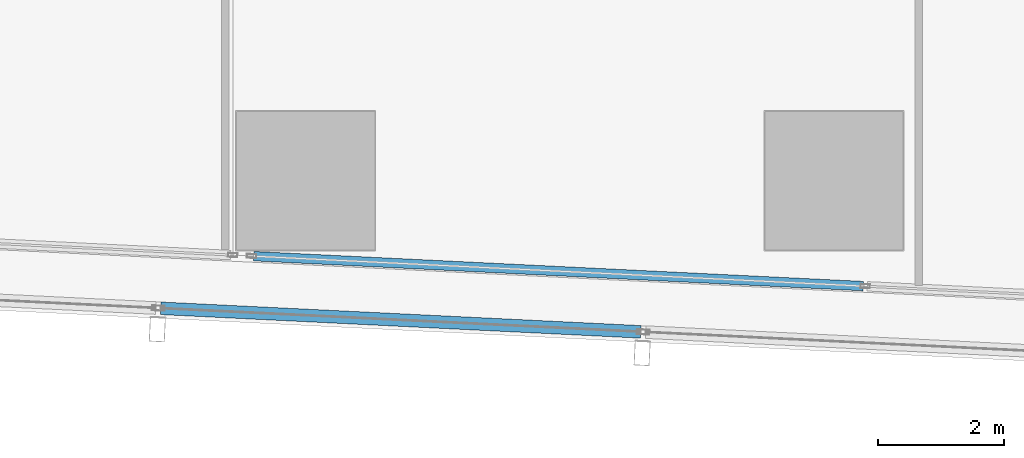
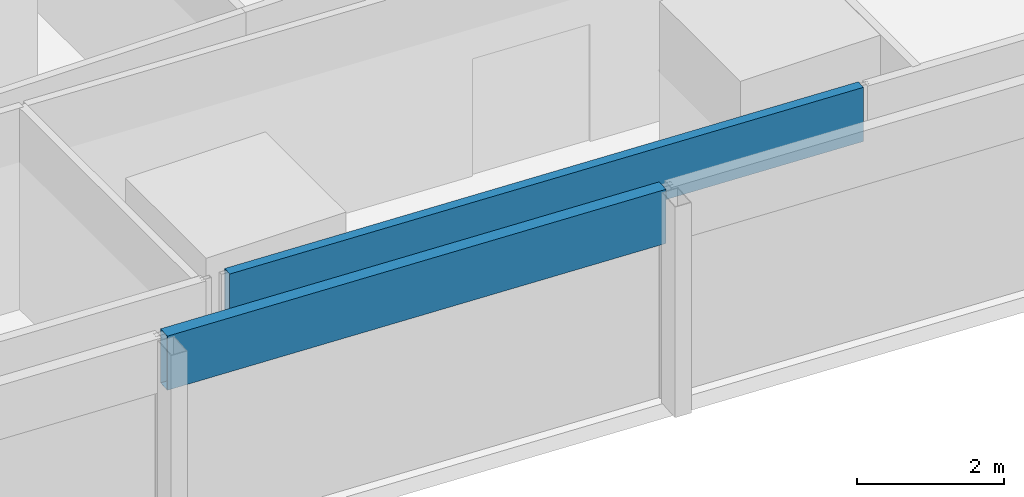
# One storey, part 3 of 44: 2 members, 2 elements without a shape of their own.
"""IFC4 building model written with IfcOpenShell, lengths in metres."""

import ifcopenshell
import ifcopenshell.guid

model = None  # the IFC model being written
_history = None  # IfcOwnerHistory: only IFC2X3 demands one
_inside = {}  # id of a spatial element -> (the spatial element, [elements in it])
_under = {}  # id of a project, library or spatial element -> (it, [spatial elements below it])
_declared = {}  # id of a project -> (the project, [libraries it declares])
_typed = {}  # id of a type object -> (the type object, [elements of that type])
_made_of = {}  # id of a material, layer set ... -> (it, [elements and type objects made of it])


def new_model(schema):
    """Start an empty IFC model of exactly this schema.

    Asked for "IFC4X3", IfcOpenShell would pick the latest addendum, in which some entities
    have other attributes; the version numbers below select the first issue.
    IFC2X3 requires an IfcOwnerHistory on every rooted entity: one is made here for all.
    """
    global model, _history
    if schema == "IFC4X3":
        model = ifcopenshell.file(schema_version=(4, 3, 0, 0))
    else:
        model = ifcopenshell.file(schema=schema)
    _inside.clear()
    _under.clear()
    _declared.clear()
    _typed.clear()
    _made_of.clear()
    _history = None
    if model.schema == "IFC2X3":
        org = make("IfcOrganization", Name="unknown")
        user = make(
            "IfcPersonAndOrganization",
            ThePerson=make("IfcPerson", FamilyName="unknown"),
            TheOrganization=org,
        )
        app = make(
            "IfcApplication",
            ApplicationDeveloper=org,
            Version="unknown",
            ApplicationFullName="unknown",
            ApplicationIdentifier="unknown",
        )
        _history = make(
            "IfcOwnerHistory",
            OwningUser=user,
            OwningApplication=app,
            ChangeAction="ADDED",
            CreationDate=0,
        )
    return model


def make(cls, **values):
    """One entity of the class cls with the attributes given. An attribute that is None is left unset."""
    return model.create_entity(
        cls, **{name: value for name, value in values.items() if value is not None}
    )


def rooted(cls, **values):
    """An entity with a GlobalId (a new one), such as an element, a storey or a relation."""
    return make(cls, GlobalId=ifcopenshell.guid.new(), OwnerHistory=_history, **values)


def si_unit(unit_type, name, prefix=None):
    """IfcSIUnit, for example si_unit("LENGTHUNIT", "METRE", prefix="MILLI")."""
    return make("IfcSIUnit", UnitType=unit_type, Prefix=prefix, Name=name)


def assignment(units):
    """IfcUnitAssignment: the units of a project."""
    return None if units is None else make("IfcUnitAssignment", Units=units)


def point(xyz):
    """IfcCartesianPoint."""
    return None if xyz is None else make("IfcCartesianPoint", Coordinates=xyz)


def direction(xyz):
    """IfcDirection."""
    return None if xyz is None else make("IfcDirection", DirectionRatios=xyz)


def frame(location, z_axis=None, x_axis=None):
    """IfcAxis2Placement3D, a coordinate frame: its origin and axes. An axis left out is left unset."""
    return make(
        "IfcAxis2Placement3D",
        Location=point(location),
        Axis=direction(z_axis),
        RefDirection=direction(x_axis),
    )


def frame_2d(location, x_axis=None):
    """IfcAxis2Placement2D, a coordinate frame in the plane: its origin and x axis."""
    return make(
        "IfcAxis2Placement2D", Location=point(location), RefDirection=direction(x_axis)
    )


def origin():
    """The frame at (0, 0, 0) with its axes left unset."""
    return frame((0.0, 0.0, 0.0))


def origin_2d():
    """The frame at (0, 0) in the plane with its x axis left unset."""
    return frame_2d((0.0, 0.0))


def place(relative_to, where):
    """IfcLocalPlacement: puts the frame where relative to a parent placement (None: the world)."""
    return make(
        "IfcLocalPlacement", PlacementRelTo=relative_to, RelativePlacement=where
    )


def context(
    kind, dimensions, precision=None, world=None, true_north=None, identifier=None
):
    """IfcGeometricRepresentationContext, for example the 3D "Model" context."""
    return make(
        "IfcGeometricRepresentationContext",
        ContextIdentifier=identifier,
        ContextType=kind,
        CoordinateSpaceDimension=dimensions,
        Precision=precision,
        WorldCoordinateSystem=world,
        TrueNorth=true_north,
    )


def subcontext(parent, identifier, kind, view, scale=None):
    """IfcGeometricRepresentationSubContext, for example "Body" below "Model"."""
    return make(
        "IfcGeometricRepresentationSubContext",
        ContextIdentifier=identifier,
        ContextType=kind,
        ParentContext=parent,
        TargetScale=scale,
        TargetView=view,
    )


def project(units=None, contexts=None):
    """IfcProject with its units and contexts."""
    return rooted(
        "IfcProject",
        Name="project",
        RepresentationContexts=contexts,
        UnitsInContext=assignment(units),
    )


def spatial(cls, under=None, at=None, **own):
    """A site, building, storey or space (cls), placed at a placement, below another one or the project."""
    s = rooted(cls, ObjectPlacement=at, **own)
    if under is not None:
        _under.setdefault(under.id(), (under, []))[1].append(s)
    return s


def profile(cls, at=None, kind="AREA", **sizes):
    """A parametric profile (cls). Its sizes go by their IFC names, for example OverallWidth=200.0."""
    return make(cls, ProfileType=kind, Position=at, **sizes)


def hollow_rectangle(**sizes):
    """IfcRectangleHollowProfileDef."""
    return profile("IfcRectangleHollowProfileDef", **sizes)


def extrude(swept, where, along, depth):
    """IfcExtrudedAreaSolid: the profile swept, set in the frame where, extruded along a direction by depth."""
    return make(
        "IfcExtrudedAreaSolid",
        SweptArea=swept,
        Position=where,
        ExtrudedDirection=direction(along),
        Depth=depth,
    )


def shape(context_of_items, identifier, shape_type, items):
    """IfcShapeRepresentation: the items that make up one representation, for example the "Body"."""
    return make(
        "IfcShapeRepresentation",
        ContextOfItems=context_of_items,
        RepresentationIdentifier=identifier,
        RepresentationType=shape_type,
        Items=items,
    )


def material(Name=None, Category=None):
    """IfcMaterial."""
    return make("IfcMaterial", Name=Name, Category=Category)


def material_profile(
    of_material, cross_section, Name=None, Category=None, Priority=None
):
    """IfcMaterialProfile: a cross section and its material."""
    return make(
        "IfcMaterialProfile",
        Name=Name,
        Material=of_material,
        Profile=cross_section,
        Priority=Priority,
        Category=Category,
    )


def profile_set(profiles, Name=None, composite=None):
    """IfcMaterialProfileSet."""
    return make(
        "IfcMaterialProfileSet",
        Name=Name,
        MaterialProfiles=profiles,
        CompositeProfile=composite,
    )


def made_of(thing, what):
    """Note that an element or type object is made of a material, layer set ...; save() writes the relation."""
    if what is not None:
        _made_of.setdefault(what.id(), (what, []))[1].append(thing)
    return thing


def type_object(cls, material=None, **own):
    """A type object (cls), such as IfcWallType, which elements share."""
    return made_of(rooted(cls, **own), material)


def element(
    cls,
    number,
    at=None,
    inside=None,
    cuts=None,
    type_object=None,
    material=None,
    context=None,
    identifier="Body",
    shape_type=None,
    held_by="IfcProductDefinitionShape",
    body=None,
    shapes=None,
    **own,
):
    """One element of the class cls, such as IfcWall. Its Tag is "e" and its number.

    at: its placement. inside: the storey or other place that contains it. cuts: it is an
    opening in that element (IfcRelVoidsElement). A single representation is given by context,
    identifier, shape_type and body (its items); several are given by shapes. held_by: the class
    of the entity that holds the representations. save() writes the other relations.
    """
    e = rooted(cls, Tag="e%d" % number, ObjectPlacement=at, **own)
    if body is not None:
        shapes = [shape(context, identifier, shape_type, body)]
    if shapes is not None:
        e.Representation = make(held_by, Representations=shapes)
    if inside is not None:
        _inside.setdefault(inside.id(), (inside, []))[1].append(e)
    if cuts is not None:
        rooted(
            "IfcRelVoidsElement", RelatingBuildingElement=cuts, RelatedOpeningElement=e
        )
    if type_object is not None:
        _typed.setdefault(type_object.id(), (type_object, []))[1].append(e)
    return made_of(e, material)


def aggregate(whole, parts):
    """IfcRelAggregates: a whole, such as a stair, and the parts it consists of."""
    return rooted("IfcRelAggregates", RelatingObject=whole, RelatedObjects=parts)


def save(model, path):
    """Write the relations noted so far, then the file.

    IfcRelAggregates (storeys below a building ...), IfcRelContainedInSpatialStructure (elements
    in a storey), IfcRelDefinesByType, IfcRelAssociatesMaterial and IfcRelDeclares: one each for
    every whole, place, type object, material and project.
    """
    for whole, parts in _under.values():
        aggregate(whole, parts)
    for where, things in _inside.values():
        rooted(
            "IfcRelContainedInSpatialStructure",
            RelatedElements=things,
            RelatingStructure=where,
        )
    for kind, things in _typed.values():
        rooted("IfcRelDefinesByType", RelatedObjects=things, RelatingType=kind)
    for what, things in _made_of.values():
        rooted("IfcRelAssociatesMaterial", RelatedObjects=things, RelatingMaterial=what)
    for by, libraries in _declared.values():
        rooted("IfcRelDeclares", RelatingContext=by, RelatedDefinitions=libraries)
    model.write(path)


model = new_model("IFC4")

# Units and contexts
model_context = context("Model", 3, precision=1e-05, world=origin(), true_north=direction((0.0, 1.0)))
body_context = subcontext(model_context, "Body", "Model", "MODEL_VIEW")
ifc_project = project(units=[si_unit("LENGTHUNIT", "METRE"), si_unit("AREAUNIT", "SQUARE_METRE"), si_unit("VOLUMEUNIT", "CUBIC_METRE"), si_unit("PLANEANGLEUNIT", "RADIAN"), si_unit("MASSUNIT", "GRAM", prefix="KILO")], contexts=[model_context])

# Site, building, storey
site_placement = place(None, origin())
site = spatial("IfcSite", under=ifc_project, at=site_placement, CompositionType="ELEMENT")
building_placement = place(site_placement, origin())
building = spatial("IfcBuilding", under=site, at=building_placement, Name="Rekha Terrace Tower", CompositionType="ELEMENT")
storey_placement = place(building_placement, frame((0.0, 0.0, 51.64990234375)))
storey = spatial("IfcBuildingStorey", under=building, at=storey_placement, Name="L12", CompositionType="ELEMENT", Elevation=51.64990234375)

# Curtain wall, member
ifc_material_1 = material(Name="Aluminium framing", Category="aluminium")
curtain_wall_type_1 = type_object("IfcCurtainWallType", Name="CW1 double skin inner glazing", PredefinedType="USERDEFINED", material=ifc_material_1)
curtain_wall_1_placement = place(storey_placement, origin())
curtain_wall_1 = element("IfcCurtainWall", 1, at=curtain_wall_1_placement, inside=storey, type_object=curtain_wall_type_1, Name="CW1 double skin inner glazing", ObjectType="DOUBLE SKIN INNER GLAZING", PredefinedType="USERDEFINED")
ifc_material_2 = material(Name="Insulated aluminium spandrel box", Category="aluminium")
ifc_material_profile_1 = material_profile(ifc_material_2, hollow_rectangle(XDim=0.14990234375, YDim=0.89990234375, WallThickness=0.0029296875, at=origin_2d()), Name="AL SPANDREL BOX 150x900")
ifc_profile_set_1 = profile_set([ifc_material_profile_1], Name="Insulated aluminium spandrel box")
member_type_1 = type_object("IfcMemberType", Name="CW1 spandrel transom 150 x 900", PredefinedType="USERDEFINED", material=ifc_profile_set_1)
member_1_placement = place(storey_placement, frame((15.973388671875, 7.200927734375, 3.050048828125), z_axis=(0.99879655824, -0.049045236754, 0.0), x_axis=(0.049045236754, 0.99879655824, 0.0)))
member_1 = element("IfcMember", 2, at=member_1_placement, type_object=member_type_1, Name="CW1 spandrel transom 1", ObjectType="TRANSOM", PredefinedType="USERDEFINED", context=body_context, shape_type="SweptSolid", body=[
    extrude(hollow_rectangle(XDim=0.14990234375, YDim=0.89990234375, WallThickness=0.0029296875, at=origin_2d()), origin(), (0.0, 0.0, 1.0), 9.701904296875),
])
aggregate(curtain_wall_1, [member_1])

curtain_wall_type_2 = type_object("IfcCurtainWallType", Name="CW2 double skin outer glazing", PredefinedType="USERDEFINED", material=ifc_material_1)
curtain_wall_2_placement = place(storey_placement, origin())
curtain_wall_2 = element("IfcCurtainWall", 3, at=curtain_wall_2_placement, inside=storey, type_object=curtain_wall_type_2, Name="CW2 double skin outer glazing", ObjectType="DOUBLE SKIN OUTER GLAZING", PredefinedType="USERDEFINED")
ifc_material_profile_2 = material_profile(ifc_material_2, hollow_rectangle(XDim=0.199951171875, YDim=0.89990234375, WallThickness=0.0029296875, at=origin_2d()), Name="AL SPANDREL BOX 200x900")
ifc_profile_set_2 = profile_set([ifc_material_profile_2], Name="Insulated aluminium spandrel box")
member_type_2 = type_object("IfcMemberType", Name="CW2 spandrel transom 200 x 900", PredefinedType="USERDEFINED", material=ifc_profile_set_2)
member_2_placement = place(storey_placement, frame((14.499755859375, 6.372314453125, 3.050048828125), z_axis=(0.998796511558, -0.049046187417, 0.0), x_axis=(0.049046187417, 0.998796511558, 0.0)))
member_2 = element("IfcMember", 4, at=member_2_placement, type_object=member_type_2, Name="CW2 spandrel transom 2", ObjectType="TRANSOM", PredefinedType="USERDEFINED", context=body_context, shape_type="SweptSolid", body=[
    extrude(hollow_rectangle(XDim=0.199951171875, YDim=0.89990234375, WallThickness=0.0029296875, at=origin_2d()), origin(), (0.0, 0.0, 1.0), 7.635986328125),
])
aggregate(curtain_wall_2, [member_2])

save(model, "model.ifc")
